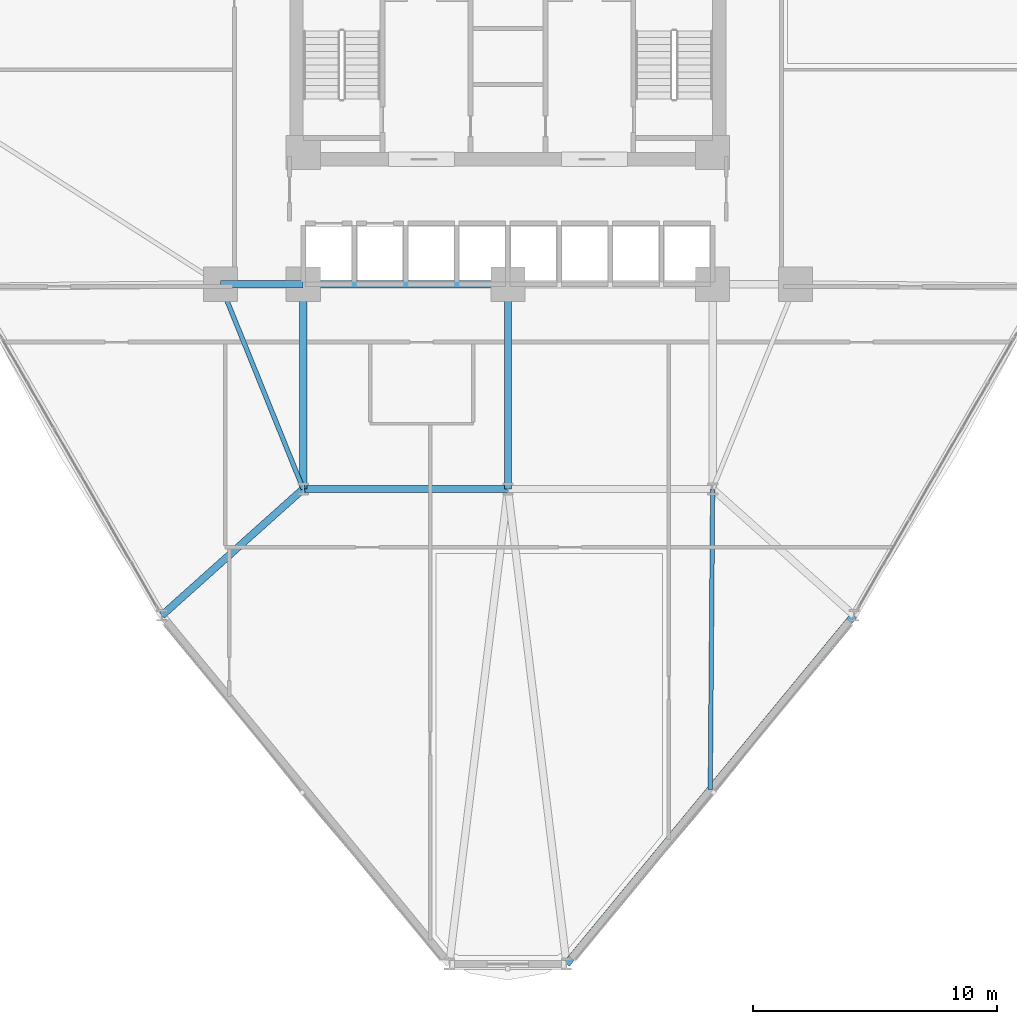
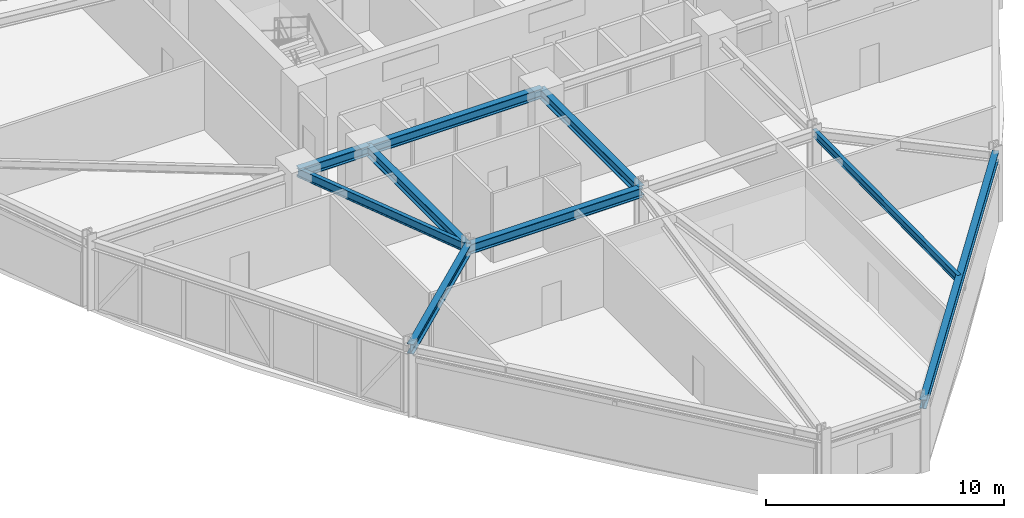
# One storey, part 5 of 22: 9 beams.
"""IFC4 building model written with IfcOpenShell, lengths in metres."""

from ifc_helpers import new_model, si_unit, derived_unit, direction, frame, origin, origin_2d, place, context, subcontext, project, spatial, i_section, extrude, source, transform, mapped, material, material_profile, profile_set, type_object, element, save


model = new_model("IFC4")

# Units and contexts
model_context = context("Model", 3, precision=1e-05, world=origin(), true_north=direction((0.0, 1.0)))
body_context = subcontext(model_context, "Body", "Model", "MODEL_VIEW")
ifc_project = project(units=[si_unit("LENGTHUNIT", "METRE"), si_unit("AREAUNIT", "SQUARE_METRE"), si_unit("VOLUMEUNIT", "CUBIC_METRE"), si_unit("PLANEANGLEUNIT", "RADIAN"), si_unit("MASSUNIT", "GRAM", prefix="KILO"), derived_unit("THERMALTRANSMITTANCEUNIT", [(si_unit("POWERUNIT", "WATT"), 1), (si_unit("LENGTHUNIT", "METRE"), -2), (si_unit("THERMODYNAMICTEMPERATUREUNIT", "KELVIN"), -1)])], contexts=[model_context])

# Site, building, storey
site_placement = place(None, origin())
site = spatial("IfcSite", under=ifc_project, at=site_placement, CompositionType="ELEMENT")
building_placement = place(site_placement, origin())
building = spatial("IfcBuilding", under=site, at=building_placement, Name="Korsvarv Bourse and Concert Hall", CompositionType="ELEMENT")
storey_placement = place(building_placement, frame((0.0, 0.0, 55.199951171875)))
storey = spatial("IfcBuildingStorey", under=building, at=storey_placement, Name="L13", CompositionType="ELEMENT", Elevation=55.199951171875)

# Beams
ifc_material = material(Name="Steel S355", Category="steel")
ifc_material_profile_1 = material_profile(ifc_material, i_section(OverallWidth=0.300048828125, OverallDepth=0.5, WebThickness=0.014404296875, FlangeThickness=0.028076171875, FilletRadius=0.02392578125, at=origin_2d()), Name="HEB 500")
ifc_profile_set_1 = profile_set([ifc_material_profile_1], Name="Steel S355")
beam_type_1 = type_object("IfcBeamType", Name="BM-HEB500", PredefinedType="BEAM", material=ifc_profile_set_1)
shared_shape_1 = source(origin(), body_context, "Body", "SweptSolid", [
    extrude(i_section(OverallWidth=0.300048828125, OverallDepth=0.5, WebThickness=0.014404296875, FlangeThickness=0.028076171875, FilletRadius=0.02392578125, at=origin_2d()), origin(), (0.0, 0.0, 1.0), 3.400146484375),
])
beam_1_placement = place(storey_placement, frame((24.199951171875, 32.39990234375, 3.31005859375), z_axis=(1.0, 0.0, 0.0), x_axis=(0.0, 1.0, 0.0)))
element("IfcBeam", 1, at=beam_1_placement, inside=storey, type_object=beam_type_1, Name="L13 beam B-07", PredefinedType="BEAM", context=body_context, shape_type="MappedRepresentation", body=[
    mapped(shared_shape_1, transform((0.0, 0.0, 0.0), scale=1.0)),
])
shared_shape_2 = source(origin(), body_context, "Body", "SweptSolid", [
    extrude(i_section(OverallWidth=0.300048828125, OverallDepth=0.5, WebThickness=0.014404296875, FlangeThickness=0.028076171875, FilletRadius=0.02392578125, at=origin_2d()), origin(), (0.0, 0.0, 1.0), 8.39990234375),
])
for number, where, z_axis, x_axis, name in (
    (2, (27.60009765625, 32.39990234375, 3.31005859375), (1.0, 0.0, 0.0), (0.0, 1.0, 0.0), "L13 beam B-07"),
    (3, (27.60009765625, 24.0, 3.31005859375), (1.0, 0.0, 0.0), (0.0, 1.0, 0.0), "L13 beam B-07"),
    (4, (27.60009765625, 24.0, 3.31005859375), (0.0, 1.0, 0.0), (-1.0, 0.0, 0.0), "L13 beam B-07"),
    (5, (36.0, 24.0, 3.31005859375), (0.0, 1.0, 0.0), (-1.0, 0.0, 0.0), "L13 beam B-07"),
):
    element("IfcBeam", number, at=place(storey_placement, frame(where, z_axis=z_axis, x_axis=x_axis)), inside=storey, type_object=beam_type_1, Name=name, PredefinedType="BEAM", context=body_context, shape_type="MappedRepresentation", body=[
        mapped(shared_shape_2, transform((0.0, 0.0, 0.0), scale=1.0)),
    ])
ifc_material_profile_2 = material_profile(ifc_material, i_section(OverallWidth=0.18994140625, OverallDepth=0.449951171875, WebThickness=0.009521484375, FlangeThickness=0.0146484375, FilletRadius=0.02099609375, at=origin_2d()), Name="IPE 450")
ifc_profile_set_2 = profile_set([ifc_material_profile_2], Name="Steel S355")
beam_type_2 = type_object("IfcBeamType", Name="BM-IPE450", PredefinedType="JOIST", material=ifc_profile_set_2)
shared_shape_3 = source(origin(), body_context, "Body", "SweptSolid", [
    extrude(i_section(OverallWidth=0.18994140625, OverallDepth=0.449951171875, WebThickness=0.009521484375, FlangeThickness=0.0146484375, FilletRadius=0.02099609375, at=origin_2d()), origin(), (0.0, 0.0, 1.0), 9.06201171875),
])
beam_2_placement = place(storey_placement, frame((24.199951171875, 32.39990234375, 3.3349609375), z_axis=(0.375210394783, -0.926939674222, 0.0), x_axis=(0.926939674222, 0.375210394783, 0.0)))
element("IfcBeam", 6, at=beam_2_placement, inside=storey, type_object=beam_type_2, Name="L13 beam J-04", PredefinedType="JOIST", context=body_context, shape_type="MappedRepresentation", body=[
    mapped(shared_shape_3, transform((0.0, 0.0, 0.0), scale=1.0)),
])
ifc_material_profile_3 = material_profile(ifc_material, i_section(OverallWidth=0.300048828125, OverallDepth=0.449951171875, WebThickness=0.013916015625, FlangeThickness=0.02587890625, FilletRadius=0.02099609375, at=origin_2d()), Name="HEB 450")
ifc_profile_set_3 = profile_set([ifc_material_profile_3], Name="Steel S355")
beam_type_3 = type_object("IfcBeamType", Name="BM-HEB450", PredefinedType="SPANDREL", material=ifc_profile_set_3)
shared_shape_4 = source(origin(), body_context, "Body", "SweptSolid", [
    extrude(i_section(OverallWidth=0.300048828125, OverallDepth=0.449951171875, WebThickness=0.013916015625, FlangeThickness=0.02587890625, FilletRadius=0.02099609375, at=origin_2d()), origin(), (0.0, 0.0, 1.0), 18.5390625),
])
beam_3_placement = place(storey_placement, frame((38.4052734375, 4.509033203125, 3.3349609375), z_axis=(0.636127669923, 0.771583817585, 0.0), x_axis=(-0.771583817585, 0.636127669923, 0.0)))
element("IfcBeam", 7, at=beam_3_placement, inside=storey, type_object=beam_type_3, Name="L13 beam B-08", PredefinedType="SPANDREL", context=body_context, shape_type="MappedRepresentation", body=[
    mapped(shared_shape_4, transform((0.0, 0.0, 0.0), scale=1.0)),
])
shared_shape_5 = source(origin(), body_context, "Body", "SweptSolid", [
    extrude(i_section(OverallWidth=0.300048828125, OverallDepth=0.5, WebThickness=0.014404296875, FlangeThickness=0.028076171875, FilletRadius=0.02392578125, at=origin_2d()), origin(), (0.0, 0.0, 1.0), 7.77978515625),
])
beam_4_placement = place(storey_placement, frame((21.801513671875, 18.8134765625, 3.31005859375), z_axis=(0.745348822667, 0.666674682697, 0.0), x_axis=(-0.666674682697, 0.745348822667, 0.0)))
element("IfcBeam", 8, at=beam_4_placement, inside=storey, type_object=beam_type_1, Name="L13 beam B-07", PredefinedType="BEAM", context=body_context, shape_type="MappedRepresentation", body=[
    mapped(shared_shape_5, transform((0.0, 0.0, 0.0), scale=1.0)),
])
ifc_material_profile_4 = material_profile(ifc_material, i_section(OverallWidth=0.179931640625, OverallDepth=0.39990234375, WebThickness=0.008544921875, FlangeThickness=0.013427734375, FilletRadius=0.02099609375, at=origin_2d()), Name="IPE 400")
ifc_profile_set_4 = profile_set([ifc_material_profile_4], Name="Steel S355")
beam_type_4 = type_object("IfcBeamType", Name="BM-IPE400", PredefinedType="JOIST", material=ifc_profile_set_4)
shared_shape_6 = source(origin(), body_context, "Body", "SweptSolid", [
    extrude(i_section(OverallWidth=0.179931640625, OverallDepth=0.39990234375, WebThickness=0.008544921875, FlangeThickness=0.013427734375, FilletRadius=0.02099609375, at=origin_2d()), origin(), (0.0, 0.0, 1.0), 12.339111328125),
])
beam_5_placement = place(storey_placement, frame((44.302001953125, 11.661376953125, 3.360107421875), z_axis=(0.007934216703, 0.999968523607, 0.0), x_axis=(-0.999968523607, 0.007934216703, 0.0)))
element("IfcBeam", 9, at=beam_5_placement, inside=storey, type_object=beam_type_4, Name="L13 beam J-05", PredefinedType="JOIST", context=body_context, shape_type="MappedRepresentation", body=[
    mapped(shared_shape_6, transform((0.0, 0.0, 0.0), scale=1.0)),
])

save(model, "model.ifc")
